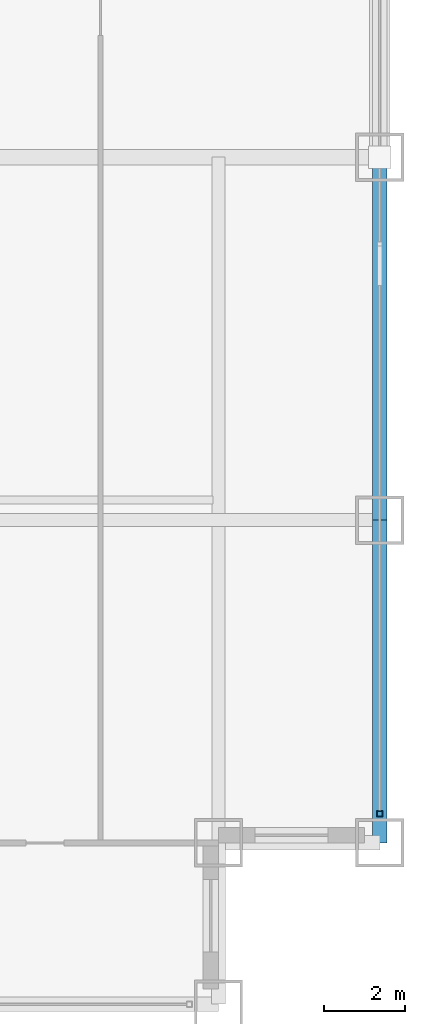
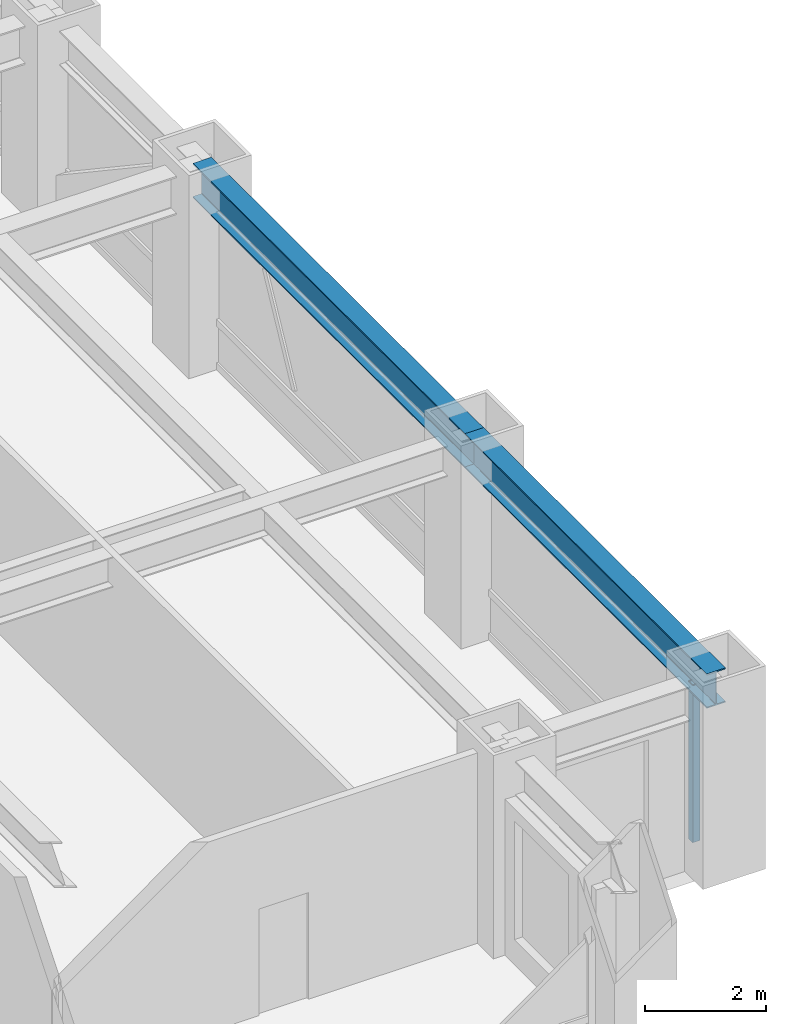
# One storey, part 12 of 28: 2 beams, 1 member, 1 element without a shape of its own.
"""IFC4 building model written with IfcOpenShell, lengths in metres."""

from ifc_helpers import new_model, si_unit, direction, frame, origin, origin_2d, place, context, subcontext, project, spatial, hollow_rectangle, i_section, extrude, source, transform, mapped, material, material_profile, profile_set, type_object, element, aggregate, save


model = new_model("IFC4")

# Units and contexts
model_context = context("Model", 3, precision=1e-05, world=origin(), true_north=direction((0.0, 1.0)))
body_context = subcontext(model_context, "Body", "Model", "MODEL_VIEW")
ifc_project = project(units=[si_unit("LENGTHUNIT", "METRE"), si_unit("AREAUNIT", "SQUARE_METRE"), si_unit("VOLUMEUNIT", "CUBIC_METRE"), si_unit("PLANEANGLEUNIT", "RADIAN"), si_unit("MASSUNIT", "GRAM", prefix="KILO")], contexts=[model_context])

# Site, building, storey
site_placement = place(None, origin())
site = spatial("IfcSite", under=ifc_project, at=site_placement, CompositionType="ELEMENT")
building_placement = place(site_placement, origin())
building = spatial("IfcBuilding", under=site, at=building_placement, Name="Khorayat Bourse Tower", CompositionType="ELEMENT")
storey_placement = place(building_placement, frame((0.0, 0.0, 124.199951171875)))
storey = spatial("IfcBuildingStorey", under=building, at=storey_placement, Name="L28", CompositionType="ELEMENT", Elevation=124.199951171875)

# Beams
ifc_material_1 = material(Name="Steel ASTM A992 Grade 50", Category="steel")
ifc_material_profile_1 = material_profile(ifc_material_1, i_section(OverallWidth=0.35498046875, OverallDepth=0.695068359375, WebThickness=0.015380859375, FlangeThickness=0.02490234375, FilletRadius=0.01806640625, at=origin_2d()), Name="W690X217")
ifc_profile_set_1 = profile_set([ifc_material_profile_1], Name="Steel ASTM A992 Grade 50")
beam_type = type_object("IfcBeamType", Name="BM-SPAN-690", PredefinedType="SPANDREL", material=ifc_profile_set_1)
shared_shape_1 = source(origin(), body_context, "Body", "SweptSolid", [
    extrude(i_section(OverallWidth=0.35498046875, OverallDepth=0.695068359375, WebThickness=0.015380859375, FlangeThickness=0.02490234375, FilletRadius=0.01806640625, at=origin_2d()), origin(), (0.0, 0.0, 1.0), 9.0),
])
beam_1_placement = place(storey_placement, frame((32.0, -20.0, 3.492431640625), z_axis=(0.0, 1.0, 0.0), x_axis=(-1.0, 0.0, 0.0)))
element("IfcBeam", 1, at=beam_1_placement, inside=storey, type_object=beam_type, Name="L28 BM-SPAN-690 BM-L28-SPN-035", PredefinedType="SPANDREL", context=body_context, shape_type="MappedRepresentation", body=[
    mapped(shared_shape_1, transform((0.0, 0.0, 0.0), scale=1.0)),
])
shared_shape_2 = source(origin(), body_context, "Body", "SweptSolid", [
    extrude(i_section(OverallWidth=0.35498046875, OverallDepth=0.695068359375, WebThickness=0.015380859375, FlangeThickness=0.02490234375, FilletRadius=0.01806640625, at=origin_2d()), origin(), (0.0, 0.0, 1.0), 8.0),
])
beam_2_placement = place(storey_placement, frame((32.0, -28.0, 3.492431640625), z_axis=(0.0, 1.0, 0.0), x_axis=(-1.0, 0.0, 0.0)))
element("IfcBeam", 2, at=beam_2_placement, inside=storey, type_object=beam_type, Name="L28 BM-SPAN-690 BM-L28-SPN-034", PredefinedType="SPANDREL", context=body_context, shape_type="MappedRepresentation", body=[
    mapped(shared_shape_2, transform((0.0, 0.0, 0.0), scale=1.0)),
])

# Curtain wall, member
ifc_material_2 = material(Name="Aluminium EN AW-6063 T6", Category="aluminium")
curtain_wall_type = type_object("IfcCurtainWallType", Name="CW-SYS-02", PredefinedType="NOTDEFINED", material=ifc_material_2)
curtain_wall_placement = place(storey_placement, origin())
curtain_wall = element("IfcCurtainWall", 3, at=curtain_wall_placement, inside=storey, type_object=curtain_wall_type, Name="L28 Curtain Wall CW-L28-E1", PredefinedType="NOTDEFINED")
ifc_material_profile_2 = material_profile(ifc_material_2, hollow_rectangle(XDim=0.139892578125, YDim=0.139892578125, WallThickness=0.006103515625, at=origin_2d()), Name="ALU 140x140x6")
ifc_profile_set_2 = profile_set([ifc_material_profile_2], Name="Aluminium EN AW-6063 T6")
member_type = type_object("IfcMemberType", Name="CWM-VERT-140", PredefinedType="MULLION", material=ifc_profile_set_2)
shared_shape_3 = source(origin(), body_context, "Body", "SweptSolid", [
    extrude(hollow_rectangle(XDim=0.139892578125, YDim=0.139892578125, WallThickness=0.006103515625, at=origin_2d()), origin(), (0.0, 0.0, 1.0), 3.18994140625),
])
member_placement = place(storey_placement, frame((32.0, -27.280029296875, 0.0), z_axis=(0.0, 0.0, 1.0), x_axis=(-1.0, 0.0, 0.0)))
member = element("IfcMember", 4, at=member_placement, type_object=member_type, Name="CW-L28-E1 Vertical Mullion 1", PredefinedType="MULLION", context=body_context, shape_type="MappedRepresentation", body=[
    mapped(shared_shape_3, transform((0.0, 0.0, 0.0), scale=1.0)),
])
aggregate(curtain_wall, [member])

save(model, "model.ifc")
